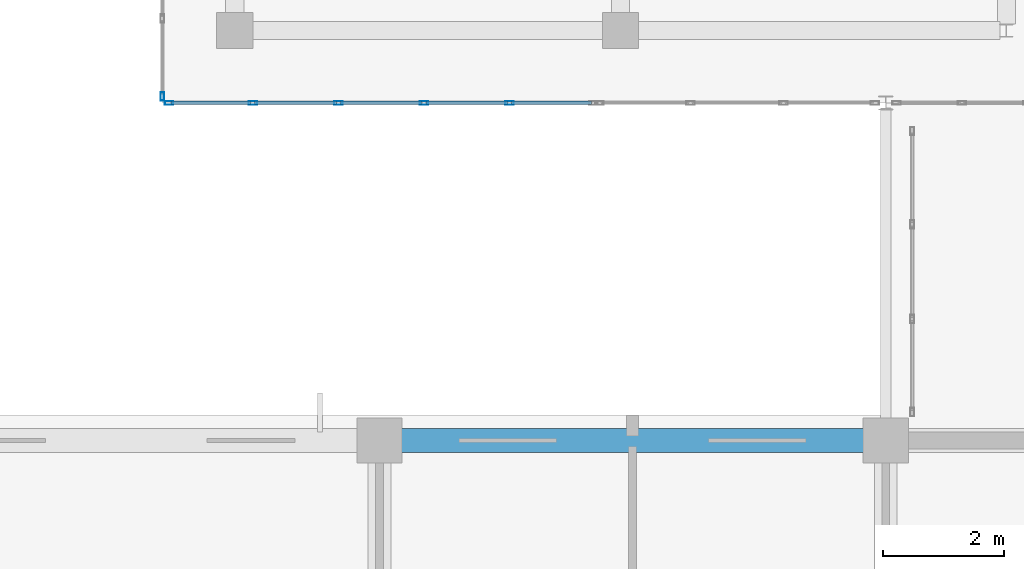
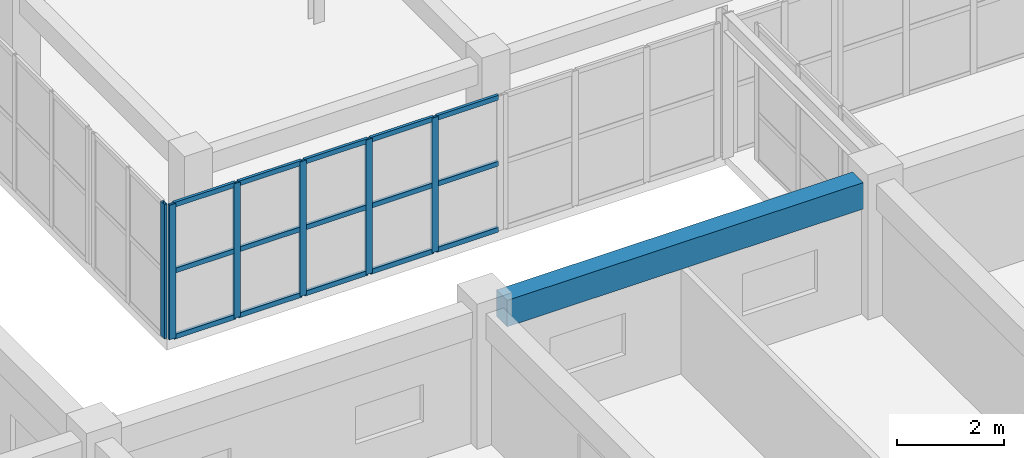
# One storey, part 32 of 200: 21 members, 1 beam, 2 elements without a shape of their own.
"""IFC4 building model written with IfcOpenShell, lengths in metres."""

from ifc_helpers import new_model, si_unit, direction, frame, origin, origin_2d, place, context, subcontext, project, spatial, rectangle, hollow_rectangle, extrude, material, layer, layer_set, material_profile, profile_set, type_object, element, aggregate, save


model = new_model("IFC4")

# Units and contexts
model_context = context("Model", 3, precision=1e-05, world=origin(), true_north=direction((0.0, 1.0)))
body_context = subcontext(model_context, "Body", "Model", "MODEL_VIEW")
ifc_project = project(units=[si_unit("LENGTHUNIT", "METRE"), si_unit("AREAUNIT", "SQUARE_METRE"), si_unit("VOLUMEUNIT", "CUBIC_METRE"), si_unit("PLANEANGLEUNIT", "RADIAN"), si_unit("MASSUNIT", "GRAM", prefix="KILO")], contexts=[model_context])

# Site, building, storey
site_placement = place(None, origin())
site = spatial("IfcSite", under=ifc_project, at=site_placement, CompositionType="ELEMENT")
building_placement = place(site_placement, origin())
building = spatial("IfcBuilding", under=site, at=building_placement, Name="Trelvath General Hospital", CompositionType="ELEMENT")
storey_placement = place(building_placement, frame((0.0, 0.0, 4.800048828125)))
storey = spatial("IfcBuildingStorey", under=building, at=storey_placement, Name="L01", CompositionType="ELEMENT", Elevation=4.800048828125)

# Beam
ifc_material_1 = material(Name="Concrete C35/45", Category="concrete")
ifc_material_profile_1 = material_profile(ifc_material_1, rectangle(XDim=0.39990234375, YDim=0.60009765625, at=origin_2d()), Name="RCB400x600")
ifc_profile_set_1 = profile_set([ifc_material_profile_1], Name="Concrete C35/45")
beam_type = type_object("IfcBeamType", Name="Beam RC400x600", PredefinedType="BEAM", material=ifc_profile_set_1)
beam_placement = place(storey_placement, frame((50.77001953125, 25.199951171875, 2.719970703125), z_axis=(1.0, 0.0, 0.0), x_axis=(0.0, 1.0, 0.0)))
element("IfcBeam", 1, at=beam_placement, inside=storey, type_object=beam_type, Name="Grid Beam BX-106D", PredefinedType="BEAM", context=body_context, shape_type="SweptSolid", body=[
    extrude(rectangle(XDim=0.39990234375, YDim=0.60009765625, at=origin_2d()), origin(), (0.0, 0.0, 1.0), 7.659912109375),
])

# Curtain wall, members
ifc_material_2 = material(Name="Anodised aluminium and low-E glass", Category="aluminium")
ifc_layer_1 = layer(ifc_material_2, 0.14990234375)
ifc_layer_set_1 = layer_set([ifc_layer_1], Name="Anodised aluminium and low-E glass")
curtain_wall_type_1 = type_object("IfcCurtainWallType", Name="CW CrystalCube 710 306 15", PredefinedType="USERDEFINED", material=ifc_layer_set_1)
curtain_wall_1_placement = place(storey_placement, origin())
curtain_wall_1 = element("IfcCurtainWall", 2, at=curtain_wall_1_placement, inside=storey, type_object=curtain_wall_type_1, Name="Crystal Cube Curtain Wall CUBE-W-T0 S1 L01", ObjectType="Unitised Glazed Curtain Wall", PredefinedType="USERDEFINED")
ifc_material_3 = material(Name="Anodised aluminium", Category="aluminium")
ifc_material_profile_2 = material_profile(ifc_material_3, hollow_rectangle(XDim=0.06005859375, YDim=0.139892578125, WallThickness=0.00390625, at=origin_2d()), Name="RHS60x140x4")
ifc_profile_set_2 = profile_set([ifc_material_profile_2], Name="Anodised aluminium")
member_type_1 = type_object("IfcMemberType", Name="CurtainMullion 60x140", PredefinedType="MULLION", material=ifc_profile_set_2)
member_1_placement = place(storey_placement, frame((52.56005859375, 30.800048828125, 0.0), z_axis=(0.0, 0.0, 1.0), x_axis=(0.0, -1.0, 0.0)))
member_1 = element("IfcMember", 3, at=member_1_placement, type_object=member_type_1, Name="CW-128 mullion 2", PredefinedType="MULLION", context=body_context, shape_type="SweptSolid", body=[
    extrude(hollow_rectangle(XDim=0.06005859375, YDim=0.139892578125, WallThickness=0.00390625, at=origin_2d()), origin(), (0.0, 0.0, 1.0), 3.06005859375),
])
member_2_placement = place(storey_placement, frame((51.139892578125, 30.800048828125, 0.0), z_axis=(0.0, 0.0, 1.0), x_axis=(0.0, -1.0, 0.0)))
member_2 = element("IfcMember", 4, at=member_2_placement, type_object=member_type_1, Name="CW-128 mullion 3", PredefinedType="MULLION", context=body_context, shape_type="SweptSolid", body=[
    extrude(hollow_rectangle(XDim=0.06005859375, YDim=0.139892578125, WallThickness=0.00390625, at=origin_2d()), origin(), (0.0, 0.0, 1.0), 3.06005859375),
])
member_3_placement = place(storey_placement, frame((49.719970703125, 30.800048828125, 0.0), z_axis=(0.0, 0.0, 1.0), x_axis=(0.0, -1.0, 0.0)))
member_3 = element("IfcMember", 5, at=member_3_placement, type_object=member_type_1, Name="CW-128 mullion 4", PredefinedType="MULLION", context=body_context, shape_type="SweptSolid", body=[
    extrude(hollow_rectangle(XDim=0.06005859375, YDim=0.139892578125, WallThickness=0.00390625, at=origin_2d()), origin(), (0.0, 0.0, 1.0), 3.06005859375),
])
member_4_placement = place(storey_placement, frame((48.300048828125, 30.800048828125, 0.0), z_axis=(0.0, 0.0, 1.0), x_axis=(0.0, -1.0, 0.0)))
member_4 = element("IfcMember", 6, at=member_4_placement, type_object=member_type_1, Name="CW-128 mullion 5", PredefinedType="MULLION", context=body_context, shape_type="SweptSolid", body=[
    extrude(hollow_rectangle(XDim=0.06005859375, YDim=0.139892578125, WallThickness=0.00390625, at=origin_2d()), origin(), (0.0, 0.0, 1.0), 3.06005859375),
])
member_5_placement = place(storey_placement, frame((46.909912109375, 30.800048828125, 0.0), z_axis=(0.0, 0.0, 1.0), x_axis=(0.0, -1.0, 0.0)))
member_5 = element("IfcMember", 7, at=member_5_placement, type_object=member_type_1, Name="CW-128 mullion 6", PredefinedType="MULLION", context=body_context, shape_type="SweptSolid", body=[
    extrude(hollow_rectangle(XDim=0.06005859375, YDim=0.139892578125, WallThickness=0.00390625, at=origin_2d()), origin(), (0.0, 0.0, 1.0), 3.06005859375),
])

# Curtain wall, member
ifc_material_4 = material(Name="Anodised aluminium and low-E glass", Category="aluminium")
ifc_layer_2 = layer(ifc_material_4, 0.14990234375)
ifc_layer_set_2 = layer_set([ifc_layer_2], Name="Anodised aluminium and low-E glass")
curtain_wall_type_2 = type_object("IfcCurtainWallType", Name="CW CrystalCube 264 306 15", PredefinedType="USERDEFINED", material=ifc_layer_set_2)
curtain_wall_2_placement = place(storey_placement, origin())
curtain_wall_2 = element("IfcCurtainWall", 8, at=curtain_wall_2_placement, inside=storey, type_object=curtain_wall_type_2, Name="Crystal Cube Curtain Wall CUBE-W-T0 W1 L01", ObjectType="Unitised Glazed Curtain Wall", PredefinedType="USERDEFINED")
member_6_placement = place(storey_placement, frame((46.800048828125, 30.909912109375, 0.0), z_axis=(0.0, 0.0, 1.0), x_axis=(-1.0, 0.0, 0.0)))
member_6 = element("IfcMember", 9, at=member_6_placement, type_object=member_type_1, Name="CW-138 mullion 1", PredefinedType="MULLION", context=body_context, shape_type="SweptSolid", body=[
    extrude(hollow_rectangle(XDim=0.06005859375, YDim=0.139892578125, WallThickness=0.00390625, at=origin_2d()), origin(), (0.0, 0.0, 1.0), 3.06005859375),
])
aggregate(curtain_wall_2, [member_6])

# Member
ifc_material_5 = material(Name="Anodised aluminium", Category="aluminium")
ifc_material_profile_3 = material_profile(ifc_material_5, hollow_rectangle(XDim=0.06005859375, YDim=0.110107421875, WallThickness=0.00390625, at=origin_2d()), Name="RHS60x110x4")
ifc_profile_set_3 = profile_set([ifc_material_profile_3], Name="Anodised aluminium")
member_type_2 = type_object("IfcMemberType", Name="CurtainTransom 60x110", PredefinedType="USERDEFINED", material=ifc_profile_set_3)
member_7_placement = place(storey_placement, frame((53.919921875, 30.800048828125, 0.030029296875), z_axis=(-1.0, 0.0, 0.0), x_axis=(0.0, -1.0, 0.0)))
member_7 = element("IfcMember", 10, at=member_7_placement, type_object=member_type_2, Name="CW-128 transom 1.1", ObjectType="TRANSOM", PredefinedType="USERDEFINED", context=body_context, shape_type="SweptSolid", body=[
    extrude(hollow_rectangle(XDim=0.06005859375, YDim=0.110107421875, WallThickness=0.00390625, at=origin_2d()), origin(), (0.0, 0.0, 1.0), 1.329833984375),
])

member_8_placement = place(storey_placement, frame((53.919921875, 30.800048828125, 1.530029296875), z_axis=(-1.0, 0.0, 0.0), x_axis=(0.0, -1.0, 0.0)))
member_8 = element("IfcMember", 11, at=member_8_placement, type_object=member_type_2, Name="CW-128 transom 1.2", ObjectType="TRANSOM", PredefinedType="USERDEFINED", context=body_context, shape_type="SweptSolid", body=[
    extrude(hollow_rectangle(XDim=0.06005859375, YDim=0.110107421875, WallThickness=0.00390625, at=origin_2d()), origin(), (0.0, 0.0, 1.0), 1.329833984375),
])

member_9_placement = place(storey_placement, frame((53.919921875, 30.800048828125, 3.030029296875), z_axis=(-1.0, 0.0, 0.0), x_axis=(0.0, -1.0, 0.0)))
member_9 = element("IfcMember", 12, at=member_9_placement, type_object=member_type_2, Name="CW-128 transom 1.3", ObjectType="TRANSOM", PredefinedType="USERDEFINED", context=body_context, shape_type="SweptSolid", body=[
    extrude(hollow_rectangle(XDim=0.06005859375, YDim=0.110107421875, WallThickness=0.00390625, at=origin_2d()), origin(), (0.0, 0.0, 1.0), 1.329833984375),
])

member_10_placement = place(storey_placement, frame((52.530029296875, 30.800048828125, 0.030029296875), z_axis=(-1.0, 0.0, 0.0), x_axis=(0.0, -1.0, 0.0)))
member_10 = element("IfcMember", 13, at=member_10_placement, type_object=member_type_2, Name="CW-128 transom 2.1", ObjectType="TRANSOM", PredefinedType="USERDEFINED", context=body_context, shape_type="SweptSolid", body=[
    extrude(hollow_rectangle(XDim=0.06005859375, YDim=0.110107421875, WallThickness=0.00390625, at=origin_2d()), origin(), (0.0, 0.0, 1.0), 1.360107421875),
])

member_11_placement = place(storey_placement, frame((52.530029296875, 30.800048828125, 1.530029296875), z_axis=(-1.0, 0.0, 0.0), x_axis=(0.0, -1.0, 0.0)))
member_11 = element("IfcMember", 14, at=member_11_placement, type_object=member_type_2, Name="CW-128 transom 2.2", ObjectType="TRANSOM", PredefinedType="USERDEFINED", context=body_context, shape_type="SweptSolid", body=[
    extrude(hollow_rectangle(XDim=0.06005859375, YDim=0.110107421875, WallThickness=0.00390625, at=origin_2d()), origin(), (0.0, 0.0, 1.0), 1.360107421875),
])

member_12_placement = place(storey_placement, frame((52.530029296875, 30.800048828125, 3.030029296875), z_axis=(-1.0, 0.0, 0.0), x_axis=(0.0, -1.0, 0.0)))
member_12 = element("IfcMember", 15, at=member_12_placement, type_object=member_type_2, Name="CW-128 transom 2.3", ObjectType="TRANSOM", PredefinedType="USERDEFINED", context=body_context, shape_type="SweptSolid", body=[
    extrude(hollow_rectangle(XDim=0.06005859375, YDim=0.110107421875, WallThickness=0.00390625, at=origin_2d()), origin(), (0.0, 0.0, 1.0), 1.360107421875),
])

member_13_placement = place(storey_placement, frame((51.110107421875, 30.800048828125, 0.030029296875), z_axis=(-1.0, 0.0, 0.0), x_axis=(0.0, -1.0, 0.0)))
member_13 = element("IfcMember", 16, at=member_13_placement, type_object=member_type_2, Name="CW-128 transom 3.1", ObjectType="TRANSOM", PredefinedType="USERDEFINED", context=body_context, shape_type="SweptSolid", body=[
    extrude(hollow_rectangle(XDim=0.06005859375, YDim=0.110107421875, WallThickness=0.00390625, at=origin_2d()), origin(), (0.0, 0.0, 1.0), 1.360107421875),
])

member_14_placement = place(storey_placement, frame((51.110107421875, 30.800048828125, 1.530029296875), z_axis=(-1.0, 0.0, 0.0), x_axis=(0.0, -1.0, 0.0)))
member_14 = element("IfcMember", 17, at=member_14_placement, type_object=member_type_2, Name="CW-128 transom 3.2", ObjectType="TRANSOM", PredefinedType="USERDEFINED", context=body_context, shape_type="SweptSolid", body=[
    extrude(hollow_rectangle(XDim=0.06005859375, YDim=0.110107421875, WallThickness=0.00390625, at=origin_2d()), origin(), (0.0, 0.0, 1.0), 1.360107421875),
])

member_15_placement = place(storey_placement, frame((51.110107421875, 30.800048828125, 3.030029296875), z_axis=(-1.0, 0.0, 0.0), x_axis=(0.0, -1.0, 0.0)))
member_15 = element("IfcMember", 18, at=member_15_placement, type_object=member_type_2, Name="CW-128 transom 3.3", ObjectType="TRANSOM", PredefinedType="USERDEFINED", context=body_context, shape_type="SweptSolid", body=[
    extrude(hollow_rectangle(XDim=0.06005859375, YDim=0.110107421875, WallThickness=0.00390625, at=origin_2d()), origin(), (0.0, 0.0, 1.0), 1.360107421875),
])

member_16_placement = place(storey_placement, frame((49.68994140625, 30.800048828125, 0.030029296875), z_axis=(-1.0, 0.0, 0.0), x_axis=(0.0, -1.0, 0.0)))
member_16 = element("IfcMember", 19, at=member_16_placement, type_object=member_type_2, Name="CW-128 transom 4.1", ObjectType="TRANSOM", PredefinedType="USERDEFINED", context=body_context, shape_type="SweptSolid", body=[
    extrude(hollow_rectangle(XDim=0.06005859375, YDim=0.110107421875, WallThickness=0.00390625, at=origin_2d()), origin(), (0.0, 0.0, 1.0), 1.35986328125),
])

member_17_placement = place(storey_placement, frame((49.68994140625, 30.800048828125, 1.530029296875), z_axis=(-1.0, 0.0, 0.0), x_axis=(0.0, -1.0, 0.0)))
member_17 = element("IfcMember", 20, at=member_17_placement, type_object=member_type_2, Name="CW-128 transom 4.2", ObjectType="TRANSOM", PredefinedType="USERDEFINED", context=body_context, shape_type="SweptSolid", body=[
    extrude(hollow_rectangle(XDim=0.06005859375, YDim=0.110107421875, WallThickness=0.00390625, at=origin_2d()), origin(), (0.0, 0.0, 1.0), 1.35986328125),
])

member_18_placement = place(storey_placement, frame((49.68994140625, 30.800048828125, 3.030029296875), z_axis=(-1.0, 0.0, 0.0), x_axis=(0.0, -1.0, 0.0)))
member_18 = element("IfcMember", 21, at=member_18_placement, type_object=member_type_2, Name="CW-128 transom 4.3", ObjectType="TRANSOM", PredefinedType="USERDEFINED", context=body_context, shape_type="SweptSolid", body=[
    extrude(hollow_rectangle(XDim=0.06005859375, YDim=0.110107421875, WallThickness=0.00390625, at=origin_2d()), origin(), (0.0, 0.0, 1.0), 1.35986328125),
])

member_19_placement = place(storey_placement, frame((48.27001953125, 30.800048828125, 0.030029296875), z_axis=(-1.0, 0.0, 0.0), x_axis=(0.0, -1.0, 0.0)))
member_19 = element("IfcMember", 22, at=member_19_placement, type_object=member_type_2, Name="CW-128 transom 5.1", ObjectType="TRANSOM", PredefinedType="USERDEFINED", context=body_context, shape_type="SweptSolid", body=[
    extrude(hollow_rectangle(XDim=0.06005859375, YDim=0.110107421875, WallThickness=0.00390625, at=origin_2d()), origin(), (0.0, 0.0, 1.0), 1.330078125),
])

member_20_placement = place(storey_placement, frame((48.27001953125, 30.800048828125, 1.530029296875), z_axis=(-1.0, 0.0, 0.0), x_axis=(0.0, -1.0, 0.0)))
member_20 = element("IfcMember", 23, at=member_20_placement, type_object=member_type_2, Name="CW-128 transom 5.2", ObjectType="TRANSOM", PredefinedType="USERDEFINED", context=body_context, shape_type="SweptSolid", body=[
    extrude(hollow_rectangle(XDim=0.06005859375, YDim=0.110107421875, WallThickness=0.00390625, at=origin_2d()), origin(), (0.0, 0.0, 1.0), 1.330078125),
])

member_21_placement = place(storey_placement, frame((48.27001953125, 30.800048828125, 3.030029296875), z_axis=(-1.0, 0.0, 0.0), x_axis=(0.0, -1.0, 0.0)))
member_21 = element("IfcMember", 24, at=member_21_placement, type_object=member_type_2, Name="CW-128 transom 5.3", ObjectType="TRANSOM", PredefinedType="USERDEFINED", context=body_context, shape_type="SweptSolid", body=[
    extrude(hollow_rectangle(XDim=0.06005859375, YDim=0.110107421875, WallThickness=0.00390625, at=origin_2d()), origin(), (0.0, 0.0, 1.0), 1.330078125),
])

aggregate(curtain_wall_1, [member_1, member_2, member_3, member_4, member_5, member_7, member_8, member_9, member_10, member_11, member_12, member_13, member_14, member_15, member_16, member_17, member_18, member_19, member_20, member_21])

save(model, "model.ifc")
